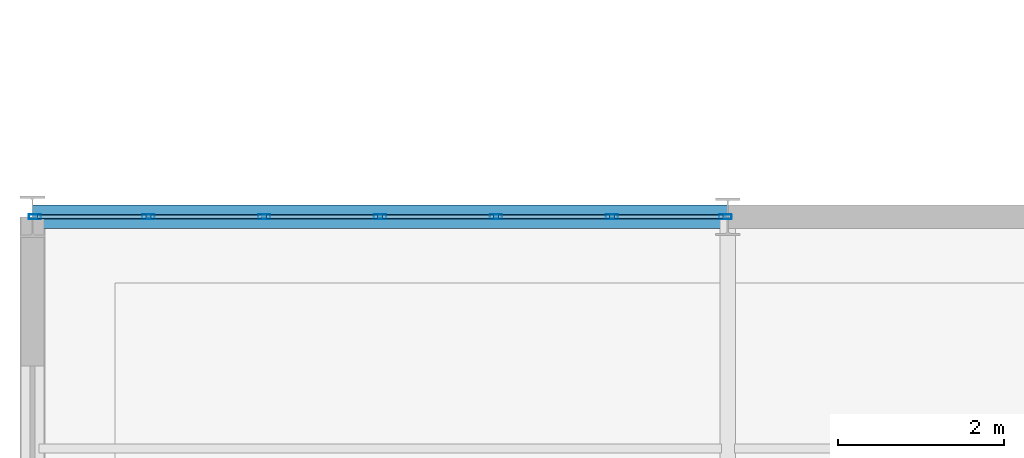
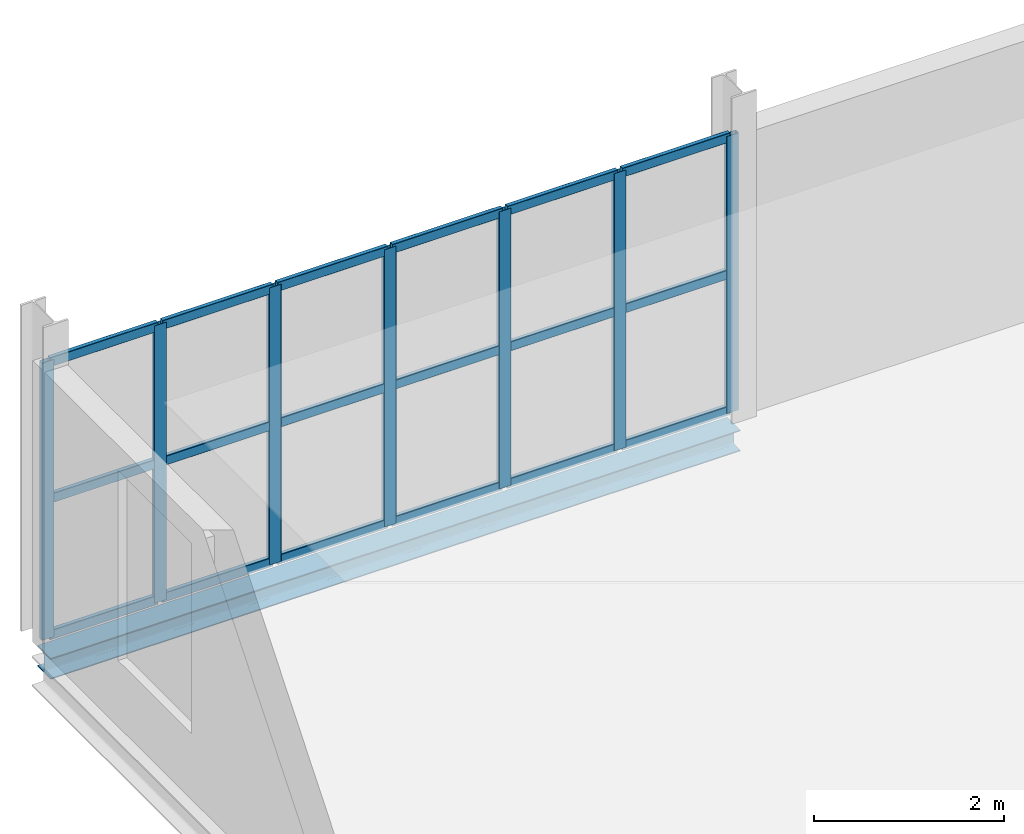
# One storey, part 25 of 65: 25 members, 1 beam, 1 element without a shape of its own.
"""IFC4 building model written with IfcOpenShell, lengths in metres."""

from ifc_helpers import new_model, si_unit, direction, frame, origin, origin_2d, place, context, subcontext, project, spatial, hollow_rectangle, i_section, extrude, material, layer, layer_set, material_profile, profile_set, type_object, element, aggregate, save


model = new_model("IFC4")

# Units and contexts
model_context = context("Model", 3, precision=1e-05, world=origin(), true_north=direction((0.0, 1.0)))
body_context = subcontext(model_context, "Body", "Model", "MODEL_VIEW")
ifc_project = project(units=[si_unit("LENGTHUNIT", "METRE"), si_unit("AREAUNIT", "SQUARE_METRE"), si_unit("VOLUMEUNIT", "CUBIC_METRE"), si_unit("PLANEANGLEUNIT", "RADIAN"), si_unit("MASSUNIT", "GRAM", prefix="KILO")], contexts=[model_context])

# Site, building, storey
site_placement = place(None, origin())
site = spatial("IfcSite", under=ifc_project, at=site_placement, CompositionType="ELEMENT")
building_placement = place(site_placement, origin())
building = spatial("IfcBuilding", under=site, at=building_placement, Name="Qalvenar Corner Mobility Hub", CompositionType="ELEMENT")
storey_placement = place(building_placement, frame((0.0, 0.0, 17.39990234375)))
storey = spatial("IfcBuildingStorey", under=building, at=storey_placement, Name="L04", CompositionType="ELEMENT", Elevation=17.39990234375)

# Beam
ifc_material_1 = material(Name="Steel S355", Category="steel")
ifc_material_profile_1 = material_profile(ifc_material_1, i_section(OverallWidth=0.280029296875, OverallDepth=0.27001953125, WebThickness=0.008056640625, FlangeThickness=0.012939453125, FilletRadius=0.02392578125, at=origin_2d()), Name="HEA280")
ifc_profile_set_1 = profile_set([ifc_material_profile_1], Name="Steel S355")
beam_type = type_object("IfcBeamType", Name="BM-SPN280", PredefinedType="SPANDREL", material=ifc_profile_set_1)
beam_placement = place(storey_placement, frame((0.0, 42.0, -0.31494140625), z_axis=(1.0, 0.0, 0.0), x_axis=(0.0, 1.0, 0.0)))
element("IfcBeam", 1, at=beam_placement, inside=storey, type_object=beam_type, Name="Primary Steel Girder GX-2621", PredefinedType="SPANDREL", context=body_context, shape_type="SweptSolid", body=[
    extrude(i_section(OverallWidth=0.280029296875, OverallDepth=0.27001953125, WebThickness=0.008056640625, FlangeThickness=0.012939453125, FilletRadius=0.02392578125, at=origin_2d()), origin(), (0.0, 0.0, 1.0), 8.39990234375),
])

# Curtain wall, members
ifc_material_2 = material(Name="Anodised Aluminium and Low-E Glazing", Category="aluminium")
ifc_layer = layer(ifc_material_2, 0.14990234375)
ifc_layer_set = layer_set([ifc_layer], Name="Anodised Aluminium and Low-E Glazing")
curtain_wall_type = type_object("IfcCurtainWallType", Name="CW-CIV-84X40", PredefinedType="NOTDEFINED", material=ifc_layer_set)
curtain_wall_placement = place(storey_placement, origin())
curtain_wall = element("IfcCurtainWall", 2, at=curtain_wall_placement, inside=storey, type_object=curtain_wall_type, Name="Glazed Curtain Wall CW-V3-L04-N0", PredefinedType="NOTDEFINED")
ifc_material_3 = material(Name="Anodised Aluminium 6063-T6", Category="aluminium")
ifc_material_profile_2 = material_profile(ifc_material_3, hollow_rectangle(XDim=0.06005859375, YDim=0.14990234375, WallThickness=0.00390625, InnerFilletRadius=0.00390625, OuterFilletRadius=0.008056640625, at=origin_2d()), Name="RHS150x60x4")
ifc_profile_set_2 = profile_set([ifc_material_profile_2], Name="Anodised Aluminium 6063-T6")
member_type_1 = type_object("IfcMemberType", Name="CW-MUL150", PredefinedType="MULLION", material=ifc_profile_set_2)
member_1_placement = place(storey_placement, frame((8.3701171875, 42.0, 0.0), z_axis=(0.0, 0.0, 1.0), x_axis=(0.0, -1.0, 0.0)))
member_1 = element("IfcMember", 3, at=member_1_placement, type_object=member_type_1, Name="CW-05 mullion 1", PredefinedType="MULLION", context=body_context, shape_type="SweptSolid", body=[
    extrude(hollow_rectangle(XDim=0.06005859375, YDim=0.14990234375, WallThickness=0.00390625, InnerFilletRadius=0.00390625, OuterFilletRadius=0.008056640625, at=origin_2d()), origin(), (0.0, 0.0, 1.0), 3.570068359375),
])
member_2_placement = place(storey_placement, frame((7.0, 42.0, 0.0), z_axis=(0.0, 0.0, 1.0), x_axis=(0.0, -1.0, 0.0)))
member_2 = element("IfcMember", 4, at=member_2_placement, type_object=member_type_1, Name="CW-05 mullion 2", PredefinedType="MULLION", context=body_context, shape_type="SweptSolid", body=[
    extrude(hollow_rectangle(XDim=0.06005859375, YDim=0.14990234375, WallThickness=0.00390625, InnerFilletRadius=0.00390625, OuterFilletRadius=0.008056640625, at=origin_2d()), origin(), (0.0, 0.0, 1.0), 3.570068359375),
])
member_3_placement = place(storey_placement, frame((5.60009765625, 42.0, 0.0), z_axis=(0.0, 0.0, 1.0), x_axis=(0.0, -1.0, 0.0)))
member_3 = element("IfcMember", 5, at=member_3_placement, type_object=member_type_1, Name="CW-05 mullion 3", PredefinedType="MULLION", context=body_context, shape_type="SweptSolid", body=[
    extrude(hollow_rectangle(XDim=0.06005859375, YDim=0.14990234375, WallThickness=0.00390625, InnerFilletRadius=0.00390625, OuterFilletRadius=0.008056640625, at=origin_2d()), origin(), (0.0, 0.0, 1.0), 3.570068359375),
])
member_4_placement = place(storey_placement, frame((4.199951171875, 42.0, 0.0), z_axis=(0.0, 0.0, 1.0), x_axis=(0.0, -1.0, 0.0)))
member_4 = element("IfcMember", 6, at=member_4_placement, type_object=member_type_1, Name="CW-05 mullion 4", PredefinedType="MULLION", context=body_context, shape_type="SweptSolid", body=[
    extrude(hollow_rectangle(XDim=0.06005859375, YDim=0.14990234375, WallThickness=0.00390625, InnerFilletRadius=0.00390625, OuterFilletRadius=0.008056640625, at=origin_2d()), origin(), (0.0, 0.0, 1.0), 3.570068359375),
])
member_5_placement = place(storey_placement, frame((2.800048828125, 42.0, 0.0), z_axis=(0.0, 0.0, 1.0), x_axis=(0.0, -1.0, 0.0)))
member_5 = element("IfcMember", 7, at=member_5_placement, type_object=member_type_1, Name="CW-05 mullion 5", PredefinedType="MULLION", context=body_context, shape_type="SweptSolid", body=[
    extrude(hollow_rectangle(XDim=0.06005859375, YDim=0.14990234375, WallThickness=0.00390625, InnerFilletRadius=0.00390625, OuterFilletRadius=0.008056640625, at=origin_2d()), origin(), (0.0, 0.0, 1.0), 3.570068359375),
])
member_6_placement = place(storey_placement, frame((1.39990234375, 42.0, 0.0), z_axis=(0.0, 0.0, 1.0), x_axis=(0.0, -1.0, 0.0)))
member_6 = element("IfcMember", 8, at=member_6_placement, type_object=member_type_1, Name="CW-05 mullion 6", PredefinedType="MULLION", context=body_context, shape_type="SweptSolid", body=[
    extrude(hollow_rectangle(XDim=0.06005859375, YDim=0.14990234375, WallThickness=0.00390625, InnerFilletRadius=0.00390625, OuterFilletRadius=0.008056640625, at=origin_2d()), origin(), (0.0, 0.0, 1.0), 3.570068359375),
])
member_7_placement = place(storey_placement, frame((0.030029296875, 42.0, 0.0), z_axis=(0.0, 0.0, 1.0), x_axis=(0.0, -1.0, 0.0)))
member_7 = element("IfcMember", 9, at=member_7_placement, type_object=member_type_1, Name="CW-05 mullion 7", PredefinedType="MULLION", context=body_context, shape_type="SweptSolid", body=[
    extrude(hollow_rectangle(XDim=0.06005859375, YDim=0.14990234375, WallThickness=0.00390625, InnerFilletRadius=0.00390625, OuterFilletRadius=0.008056640625, at=origin_2d()), origin(), (0.0, 0.0, 1.0), 3.570068359375),
])
ifc_material_profile_3 = material_profile(ifc_material_3, hollow_rectangle(XDim=0.054931640625, YDim=0.1201171875, WallThickness=0.00341796875, InnerFilletRadius=0.00341796875, OuterFilletRadius=0.007080078125, at=origin_2d()), Name="RHS120x55x3.5")
ifc_profile_set_3 = profile_set([ifc_material_profile_3], Name="Anodised Aluminium 6063-T6")
member_type_2 = type_object("IfcMemberType", Name="CW-TRN120", PredefinedType="USERDEFINED", material=ifc_profile_set_3)
member_8_placement = place(storey_placement, frame((8.340087890625, 42.0, 0.027587890625), z_axis=(-1.0, 0.0, 0.0), x_axis=(0.0, -1.0, 0.0)))
member_8 = element("IfcMember", 10, at=member_8_placement, type_object=member_type_2, Name="CW-05 transom 1.1", ObjectType="TRANSOM", PredefinedType="USERDEFINED", context=body_context, shape_type="SweptSolid", body=[
    extrude(hollow_rectangle(XDim=0.054931640625, YDim=0.1201171875, WallThickness=0.00341796875, InnerFilletRadius=0.00341796875, OuterFilletRadius=0.007080078125, at=origin_2d()), origin(), (0.0, 0.0, 1.0), 1.31005859375),
])
member_9_placement = place(storey_placement, frame((8.340087890625, 42.0, 1.78515625), z_axis=(-1.0, 0.0, 0.0), x_axis=(0.0, -1.0, 0.0)))
member_9 = element("IfcMember", 11, at=member_9_placement, type_object=member_type_2, Name="CW-05 transom 1.2", ObjectType="TRANSOM", PredefinedType="USERDEFINED", context=body_context, shape_type="SweptSolid", body=[
    extrude(hollow_rectangle(XDim=0.054931640625, YDim=0.1201171875, WallThickness=0.00341796875, InnerFilletRadius=0.00341796875, OuterFilletRadius=0.007080078125, at=origin_2d()), origin(), (0.0, 0.0, 1.0), 1.31005859375),
])
member_10_placement = place(storey_placement, frame((8.340087890625, 42.0, 3.54248046875), z_axis=(-1.0, 0.0, 0.0), x_axis=(0.0, -1.0, 0.0)))
member_10 = element("IfcMember", 12, at=member_10_placement, type_object=member_type_2, Name="CW-05 transom 1.3", ObjectType="TRANSOM", PredefinedType="USERDEFINED", context=body_context, shape_type="SweptSolid", body=[
    extrude(hollow_rectangle(XDim=0.054931640625, YDim=0.1201171875, WallThickness=0.00341796875, InnerFilletRadius=0.00341796875, OuterFilletRadius=0.007080078125, at=origin_2d()), origin(), (0.0, 0.0, 1.0), 1.31005859375),
])
member_11_placement = place(storey_placement, frame((6.969970703125, 42.0, 0.027587890625), z_axis=(-1.0, 0.0, 0.0), x_axis=(0.0, -1.0, 0.0)))
member_11 = element("IfcMember", 13, at=member_11_placement, type_object=member_type_2, Name="CW-05 transom 2.1", ObjectType="TRANSOM", PredefinedType="USERDEFINED", context=body_context, shape_type="SweptSolid", body=[
    extrude(hollow_rectangle(XDim=0.054931640625, YDim=0.1201171875, WallThickness=0.00341796875, InnerFilletRadius=0.00341796875, OuterFilletRadius=0.007080078125, at=origin_2d()), origin(), (0.0, 0.0, 1.0), 1.340087890625),
])
member_12_placement = place(storey_placement, frame((6.969970703125, 42.0, 1.78515625), z_axis=(-1.0, 0.0, 0.0), x_axis=(0.0, -1.0, 0.0)))
member_12 = element("IfcMember", 14, at=member_12_placement, type_object=member_type_2, Name="CW-05 transom 2.2", ObjectType="TRANSOM", PredefinedType="USERDEFINED", context=body_context, shape_type="SweptSolid", body=[
    extrude(hollow_rectangle(XDim=0.054931640625, YDim=0.1201171875, WallThickness=0.00341796875, InnerFilletRadius=0.00341796875, OuterFilletRadius=0.007080078125, at=origin_2d()), origin(), (0.0, 0.0, 1.0), 1.340087890625),
])
member_13_placement = place(storey_placement, frame((6.969970703125, 42.0, 3.54248046875), z_axis=(-1.0, 0.0, 0.0), x_axis=(0.0, -1.0, 0.0)))
member_13 = element("IfcMember", 15, at=member_13_placement, type_object=member_type_2, Name="CW-05 transom 2.3", ObjectType="TRANSOM", PredefinedType="USERDEFINED", context=body_context, shape_type="SweptSolid", body=[
    extrude(hollow_rectangle(XDim=0.054931640625, YDim=0.1201171875, WallThickness=0.00341796875, InnerFilletRadius=0.00341796875, OuterFilletRadius=0.007080078125, at=origin_2d()), origin(), (0.0, 0.0, 1.0), 1.340087890625),
])
member_14_placement = place(storey_placement, frame((5.570068359375, 42.0, 0.027587890625), z_axis=(-1.0, 0.0, 0.0), x_axis=(0.0, -1.0, 0.0)))
member_14 = element("IfcMember", 16, at=member_14_placement, type_object=member_type_2, Name="CW-05 transom 3.1", ObjectType="TRANSOM", PredefinedType="USERDEFINED", context=body_context, shape_type="SweptSolid", body=[
    extrude(hollow_rectangle(XDim=0.054931640625, YDim=0.1201171875, WallThickness=0.00341796875, InnerFilletRadius=0.00341796875, OuterFilletRadius=0.007080078125, at=origin_2d()), origin(), (0.0, 0.0, 1.0), 1.340087890625),
])
member_15_placement = place(storey_placement, frame((5.570068359375, 42.0, 1.78515625), z_axis=(-1.0, 0.0, 0.0), x_axis=(0.0, -1.0, 0.0)))
member_15 = element("IfcMember", 17, at=member_15_placement, type_object=member_type_2, Name="CW-05 transom 3.2", ObjectType="TRANSOM", PredefinedType="USERDEFINED", context=body_context, shape_type="SweptSolid", body=[
    extrude(hollow_rectangle(XDim=0.054931640625, YDim=0.1201171875, WallThickness=0.00341796875, InnerFilletRadius=0.00341796875, OuterFilletRadius=0.007080078125, at=origin_2d()), origin(), (0.0, 0.0, 1.0), 1.340087890625),
])
member_16_placement = place(storey_placement, frame((5.570068359375, 42.0, 3.54248046875), z_axis=(-1.0, 0.0, 0.0), x_axis=(0.0, -1.0, 0.0)))
member_16 = element("IfcMember", 18, at=member_16_placement, type_object=member_type_2, Name="CW-05 transom 3.3", ObjectType="TRANSOM", PredefinedType="USERDEFINED", context=body_context, shape_type="SweptSolid", body=[
    extrude(hollow_rectangle(XDim=0.054931640625, YDim=0.1201171875, WallThickness=0.00341796875, InnerFilletRadius=0.00341796875, OuterFilletRadius=0.007080078125, at=origin_2d()), origin(), (0.0, 0.0, 1.0), 1.340087890625),
])
member_17_placement = place(storey_placement, frame((4.169921875, 42.0, 0.027587890625), z_axis=(-1.0, 0.0, 0.0), x_axis=(0.0, -1.0, 0.0)))
member_17 = element("IfcMember", 19, at=member_17_placement, type_object=member_type_2, Name="CW-05 transom 4.1", ObjectType="TRANSOM", PredefinedType="USERDEFINED", context=body_context, shape_type="SweptSolid", body=[
    extrude(hollow_rectangle(XDim=0.054931640625, YDim=0.1201171875, WallThickness=0.00341796875, InnerFilletRadius=0.00341796875, OuterFilletRadius=0.007080078125, at=origin_2d()), origin(), (0.0, 0.0, 1.0), 1.33984375),
])
member_18_placement = place(storey_placement, frame((4.169921875, 42.0, 1.78515625), z_axis=(-1.0, 0.0, 0.0), x_axis=(0.0, -1.0, 0.0)))
member_18 = element("IfcMember", 20, at=member_18_placement, type_object=member_type_2, Name="CW-05 transom 4.2", ObjectType="TRANSOM", PredefinedType="USERDEFINED", context=body_context, shape_type="SweptSolid", body=[
    extrude(hollow_rectangle(XDim=0.054931640625, YDim=0.1201171875, WallThickness=0.00341796875, InnerFilletRadius=0.00341796875, OuterFilletRadius=0.007080078125, at=origin_2d()), origin(), (0.0, 0.0, 1.0), 1.33984375),
])
member_19_placement = place(storey_placement, frame((4.169921875, 42.0, 3.54248046875), z_axis=(-1.0, 0.0, 0.0), x_axis=(0.0, -1.0, 0.0)))
member_19 = element("IfcMember", 21, at=member_19_placement, type_object=member_type_2, Name="CW-05 transom 4.3", ObjectType="TRANSOM", PredefinedType="USERDEFINED", context=body_context, shape_type="SweptSolid", body=[
    extrude(hollow_rectangle(XDim=0.054931640625, YDim=0.1201171875, WallThickness=0.00341796875, InnerFilletRadius=0.00341796875, OuterFilletRadius=0.007080078125, at=origin_2d()), origin(), (0.0, 0.0, 1.0), 1.33984375),
])
member_20_placement = place(storey_placement, frame((2.77001953125, 42.0, 0.027587890625), z_axis=(-1.0, 0.0, 0.0), x_axis=(0.0, -1.0, 0.0)))
member_20 = element("IfcMember", 22, at=member_20_placement, type_object=member_type_2, Name="CW-05 transom 5.1", ObjectType="TRANSOM", PredefinedType="USERDEFINED", context=body_context, shape_type="SweptSolid", body=[
    extrude(hollow_rectangle(XDim=0.054931640625, YDim=0.1201171875, WallThickness=0.00341796875, InnerFilletRadius=0.00341796875, OuterFilletRadius=0.007080078125, at=origin_2d()), origin(), (0.0, 0.0, 1.0), 1.340087890625),
])
member_21_placement = place(storey_placement, frame((2.77001953125, 42.0, 1.78515625), z_axis=(-1.0, 0.0, 0.0), x_axis=(0.0, -1.0, 0.0)))
member_21 = element("IfcMember", 23, at=member_21_placement, type_object=member_type_2, Name="CW-05 transom 5.2", ObjectType="TRANSOM", PredefinedType="USERDEFINED", context=body_context, shape_type="SweptSolid", body=[
    extrude(hollow_rectangle(XDim=0.054931640625, YDim=0.1201171875, WallThickness=0.00341796875, InnerFilletRadius=0.00341796875, OuterFilletRadius=0.007080078125, at=origin_2d()), origin(), (0.0, 0.0, 1.0), 1.340087890625),
])
member_22_placement = place(storey_placement, frame((2.77001953125, 42.0, 3.54248046875), z_axis=(-1.0, 0.0, 0.0), x_axis=(0.0, -1.0, 0.0)))
member_22 = element("IfcMember", 24, at=member_22_placement, type_object=member_type_2, Name="CW-05 transom 5.3", ObjectType="TRANSOM", PredefinedType="USERDEFINED", context=body_context, shape_type="SweptSolid", body=[
    extrude(hollow_rectangle(XDim=0.054931640625, YDim=0.1201171875, WallThickness=0.00341796875, InnerFilletRadius=0.00341796875, OuterFilletRadius=0.007080078125, at=origin_2d()), origin(), (0.0, 0.0, 1.0), 1.340087890625),
])
member_23_placement = place(storey_placement, frame((1.3701171875, 42.0, 0.027587890625), z_axis=(-1.0, 0.0, 0.0), x_axis=(0.0, -1.0, 0.0)))
member_23 = element("IfcMember", 25, at=member_23_placement, type_object=member_type_2, Name="CW-05 transom 6.1", ObjectType="TRANSOM", PredefinedType="USERDEFINED", context=body_context, shape_type="SweptSolid", body=[
    extrude(hollow_rectangle(XDim=0.054931640625, YDim=0.1201171875, WallThickness=0.00341796875, InnerFilletRadius=0.00341796875, OuterFilletRadius=0.007080078125, at=origin_2d()), origin(), (0.0, 0.0, 1.0), 1.31005859375),
])
member_24_placement = place(storey_placement, frame((1.3701171875, 42.0, 1.78515625), z_axis=(-1.0, 0.0, 0.0), x_axis=(0.0, -1.0, 0.0)))
member_24 = element("IfcMember", 26, at=member_24_placement, type_object=member_type_2, Name="CW-05 transom 6.2", ObjectType="TRANSOM", PredefinedType="USERDEFINED", context=body_context, shape_type="SweptSolid", body=[
    extrude(hollow_rectangle(XDim=0.054931640625, YDim=0.1201171875, WallThickness=0.00341796875, InnerFilletRadius=0.00341796875, OuterFilletRadius=0.007080078125, at=origin_2d()), origin(), (0.0, 0.0, 1.0), 1.31005859375),
])
member_25_placement = place(storey_placement, frame((1.3701171875, 42.0, 3.54248046875), z_axis=(-1.0, 0.0, 0.0), x_axis=(0.0, -1.0, 0.0)))
member_25 = element("IfcMember", 27, at=member_25_placement, type_object=member_type_2, Name="CW-05 transom 6.3", ObjectType="TRANSOM", PredefinedType="USERDEFINED", context=body_context, shape_type="SweptSolid", body=[
    extrude(hollow_rectangle(XDim=0.054931640625, YDim=0.1201171875, WallThickness=0.00341796875, InnerFilletRadius=0.00341796875, OuterFilletRadius=0.007080078125, at=origin_2d()), origin(), (0.0, 0.0, 1.0), 1.31005859375),
])
aggregate(curtain_wall, [member_1, member_2, member_3, member_4, member_5, member_6, member_7, member_8, member_9, member_10, member_11, member_12, member_13, member_14, member_15, member_16, member_17, member_18, member_19, member_20, member_21, member_22, member_23, member_24, member_25])

save(model, "model.ifc")
